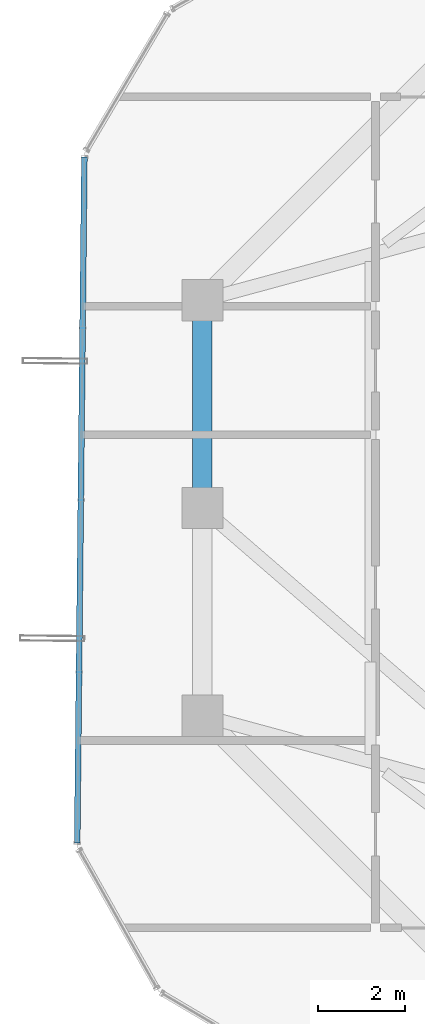
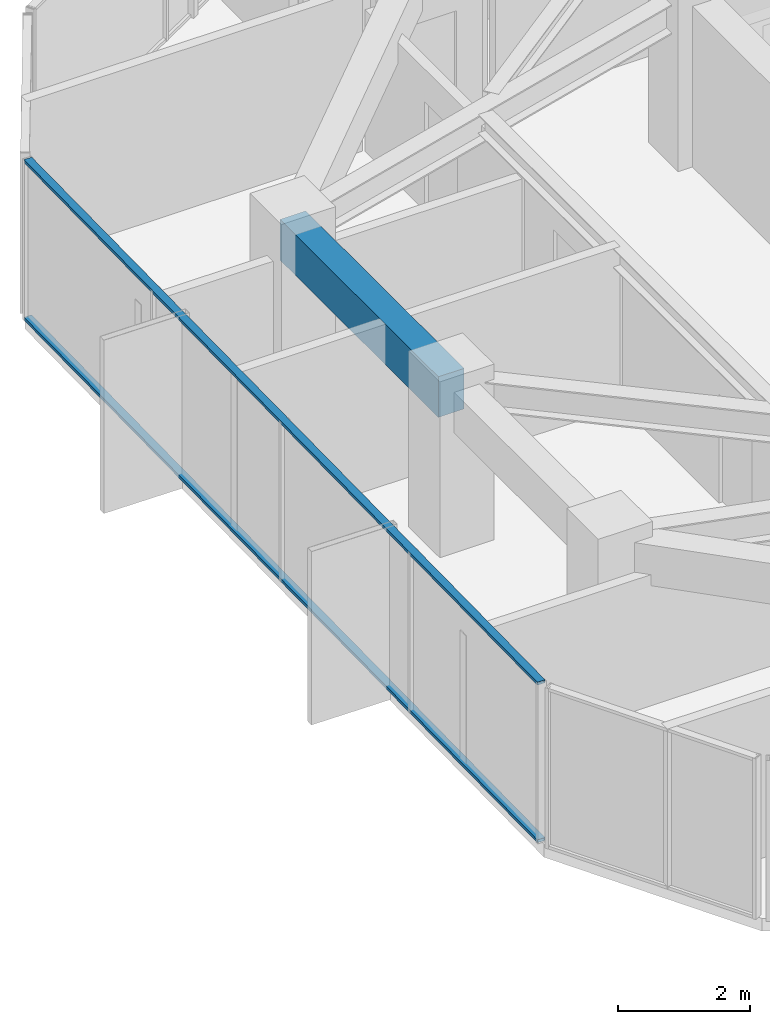
# One storey, part 11 of 30: 2 members, 1 beam, 1 element without a shape of its own.
"""IFC4 building model written with IfcOpenShell, lengths in metres."""

from ifc_helpers import new_model, si_unit, direction, frame, origin, origin_2d, place, context, subcontext, project, spatial, rectangle, hollow_rectangle, extrude, source, transform, mapped, material, layer, layer_set, material_profile, profile_set, type_object, element, aggregate, save


model = new_model("IFC4")

# Units and contexts
model_context = context("Model", 3, precision=1e-05, world=origin(), true_north=direction((0.0, 1.0)))
body_context = subcontext(model_context, "Body", "Model", "MODEL_VIEW")
ifc_project = project(units=[si_unit("LENGTHUNIT", "METRE"), si_unit("AREAUNIT", "SQUARE_METRE"), si_unit("VOLUMEUNIT", "CUBIC_METRE"), si_unit("PLANEANGLEUNIT", "RADIAN"), si_unit("MASSUNIT", "GRAM", prefix="KILO")], contexts=[model_context])

# Site, building, storey
site_placement = place(None, origin())
site = spatial("IfcSite", under=ifc_project, at=site_placement, CompositionType="ELEMENT")
building_placement = place(site_placement, origin())
building = spatial("IfcBuilding", under=site, at=building_placement, Name="Veraguas Prism Commons", CompositionType="ELEMENT")
storey_placement = place(building_placement, frame((0.0, 0.0, 208.10009765625)))
storey = spatial("IfcBuildingStorey", under=building, at=storey_placement, Name="L59", CompositionType="ELEMENT", Elevation=208.10009765625)

# Beam
ifc_material_1 = material(Name="Concrete C50/60", Category="concrete")
ifc_material_profile_1 = material_profile(ifc_material_1, rectangle(XDim=0.449951171875, YDim=0.75, at=origin_2d()), Name="RC450X750")
ifc_profile_set_1 = profile_set([ifc_material_profile_1], Name="Concrete C50/60")
beam_type = type_object("IfcBeamType", Name="Perimeter Spandrel Upper RC 450x750", PredefinedType="SPANDREL", material=ifc_profile_set_1)
beam_placement = place(storey_placement, frame((9.10009765625, 28.800048828125, 2.594970703125), z_axis=(0.0, -1.0, 0.0), x_axis=(1.0, 0.0, 0.0)))
element("IfcBeam", 1, at=beam_placement, inside=storey, type_object=beam_type, Name="Perimeter Spandrel Beam L59-SP07", PredefinedType="SPANDREL", context=body_context, shape_type="SweptSolid", body=[
    extrude(rectangle(XDim=0.449951171875, YDim=0.75, at=origin_2d()), origin(), (0.0, 0.0, 1.0), 4.800048828125),
])

# Curtain wall, members
ifc_material_2 = material(Name="Anodised aluminium EN AW-6063 T6", Category="aluminium")
ifc_layer = layer(ifc_material_2, 0.14990234375, Name="Unitised Flush Curtain Wall Zone 3", Category="aluminium")
ifc_layer_set = layer_set([ifc_layer], Name="Anodised aluminium EN AW-6063 T6")
curtain_wall_type = type_object("IfcCurtainWallType", Name="Unitised Flush Curtain Wall Zone 3", PredefinedType="NOTDEFINED", material=ifc_layer_set)
curtain_wall_placement = place(storey_placement, origin())
curtain_wall = element("IfcCurtainWall", 2, at=curtain_wall_placement, inside=storey, type_object=curtain_wall_type, Name="Tower Facade Curtain Wall L59-F3", PredefinedType="NOTDEFINED")
ifc_material_profile_2 = material_profile(ifc_material_2, hollow_rectangle(XDim=0.054931640625, YDim=0.135009765625, WallThickness=0.0029296875, at=origin_2d()), Name="AL55X135X3")
ifc_profile_set_2 = profile_set([ifc_material_profile_2], Name="Anodised aluminium EN AW-6063 T6")
member_type = type_object("IfcMemberType", Name="Curtain Wall Transom Standard AL 55x135x3", PredefinedType="USERDEFINED", material=ifc_profile_set_2)
shared_shape = source(origin(), body_context, "Body", "SweptSolid", [
    extrude(hollow_rectangle(XDim=0.054931640625, YDim=0.135009765625, WallThickness=0.0029296875, at=origin_2d()), origin(), (0.0, 0.0, 1.0), 15.842529296875),
])
member_1_placement = place(storey_placement, frame((6.373779296875, 32.106201171875, 0.02734375), z_axis=(-0.010479181692, -0.999945091868, 0.0), x_axis=(0.0, 0.0, 1.0)))
member_1 = element("IfcMember", 3, at=member_1_placement, type_object=member_type, Name="CW-Z3 Transom 1", ObjectType="TRANSOM", PredefinedType="USERDEFINED", context=body_context, shape_type="MappedRepresentation", body=[
    mapped(shared_shape, transform((0.0, 0.0, 0.0), scale=1.0)),
])
member_2_placement = place(storey_placement, frame((6.373779296875, 32.106201171875, 2.9423828125), z_axis=(-0.010479181692, -0.999945091868, 0.0), x_axis=(0.0, 0.0, 1.0)))
member_2 = element("IfcMember", 4, at=member_2_placement, type_object=member_type, Name="CW-Z3 Transom 2", ObjectType="TRANSOM", PredefinedType="USERDEFINED", context=body_context, shape_type="MappedRepresentation", body=[
    mapped(shared_shape, transform((0.0, 0.0, 0.0), scale=1.0)),
])
aggregate(curtain_wall, [member_1, member_2])

save(model, "model.ifc")
